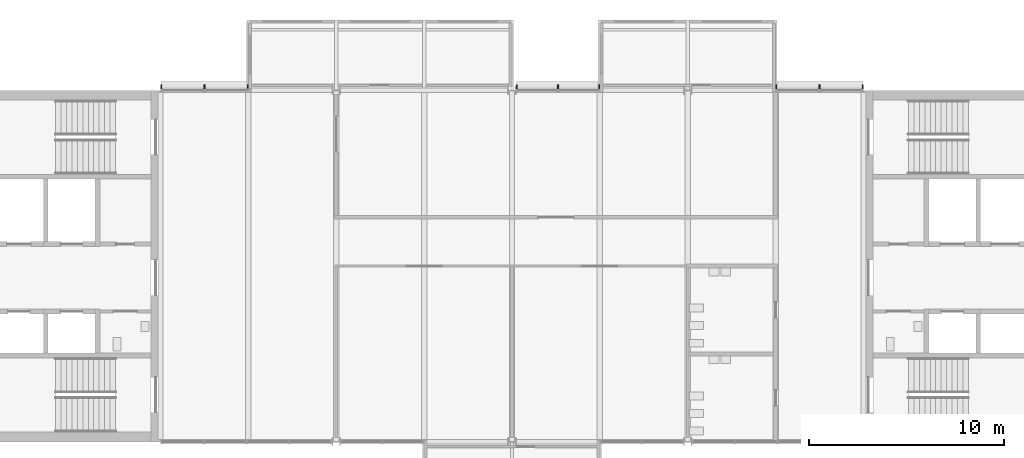
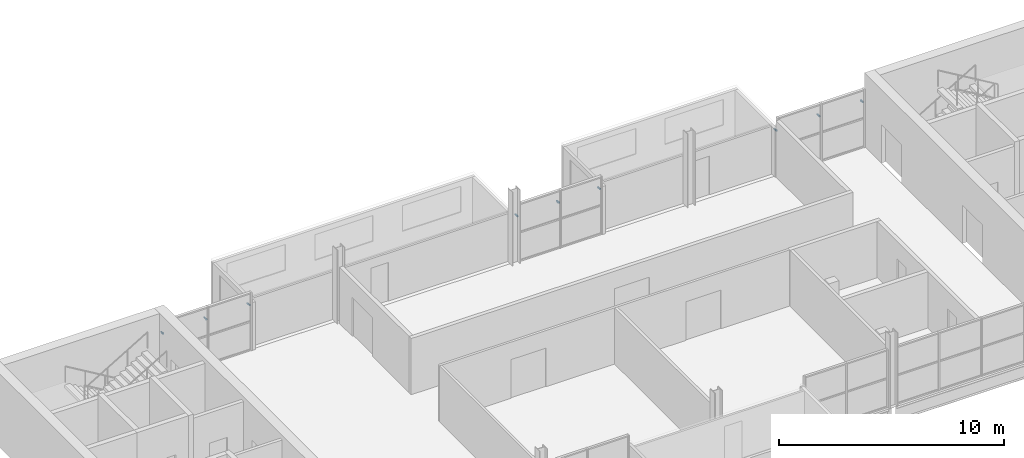
# One storey, part 8 of 10: 9 discrete accessories.
"""IFC4 building model written with IfcOpenShell, lengths in metres."""

from ifc_helpers import new_model, si_unit, direction, frame, origin, origin_2d, place, context, subcontext, project, spatial, rectangle, extrude, material, type_object, element, save


model = new_model("IFC4")

# Units and contexts
model_context = context("Model", 3, precision=1e-05, world=origin(), true_north=direction((0.0, 1.0)))
body_context = subcontext(model_context, "Body", "Model", "MODEL_VIEW")
ifc_project = project(units=[si_unit("LENGTHUNIT", "METRE"), si_unit("AREAUNIT", "SQUARE_METRE"), si_unit("VOLUMEUNIT", "CUBIC_METRE"), si_unit("PLANEANGLEUNIT", "RADIAN"), si_unit("MASSUNIT", "GRAM", prefix="KILO")], contexts=[model_context])

# Site, building, storey
site_placement = place(None, origin())
site = spatial("IfcSite", under=ifc_project, at=site_placement, CompositionType="ELEMENT")
building_placement = place(site_placement, origin())
building = spatial("IfcBuilding", under=site, at=building_placement, Name="Corbel Yard City Hall", CompositionType="ELEMENT")
storey_placement = place(building_placement, frame((0.0, 0.0, 43.199951171875)))
storey = spatial("IfcBuildingStorey", under=building, at=storey_placement, Name="L10", CompositionType="ELEMENT", Elevation=43.199951171875)

# Discrete accessories
ifc_material = material(Name="Steel Grade 300 (300 MPa yield)", Category="steel")
discrete_accessory_type = type_object("IfcDiscreteAccessoryType", Name="BK1", PredefinedType="BRACKET", material=ifc_material)
for number, where, z_axis, x_axis, name in (
    (1, (9.032470703125, 117.18994140625, 2.33251953125), (0.0, 0.0, 1.0), (1.0, 0.0, 0.0), "Louvre bracket"),
    (2, (11.25, 117.18994140625, 2.33251953125), (0.0, 0.0, 1.0), (1.0, 0.0, 0.0), "Louvre bracket"),
    (3, (13.467529296875, 117.18994140625, 2.33251953125), (0.0, 0.0, 1.0), (1.0, 0.0, 0.0), "Louvre bracket"),
    (4, (27.239501953125, 117.18994140625, 2.33251953125), (0.0, 0.0, 1.0), (1.0, 0.0, 0.0), "Louvre bracket"),
    (5, (29.353515625, 117.18994140625, 2.33251953125), (0.0, 0.0, 1.0), (1.0, 0.0, 0.0), "Louvre bracket"),
    (6, (31.467529296875, 117.18994140625, 2.33251953125), (0.0, 0.0, 1.0), (1.0, 0.0, 0.0), "Louvre bracket"),
    (7, (40.532470703125, 117.18994140625, 2.33251953125), (0.0, 0.0, 1.0), (1.0, 0.0, 0.0), "Louvre bracket"),
    (8, (42.75, 117.18994140625, 2.33251953125), (0.0, 0.0, 1.0), (1.0, 0.0, 0.0), "Louvre bracket"),
    (9, (44.967529296875, 117.18994140625, 2.33251953125), (0.0, 0.0, 1.0), (1.0, 0.0, 0.0), "Louvre bracket"),
):
    element("IfcDiscreteAccessory", number, at=place(storey_placement, frame(where, z_axis=z_axis, x_axis=x_axis)), inside=storey, type_object=discrete_accessory_type, Name=name, PredefinedType="BRACKET", context=body_context, shape_type="SweptSolid", body=[
        extrude(rectangle(XDim=0.06005859375, YDim=0.199951171875, at=origin_2d()), origin(), (0.0, 0.0, 1.0), 0.06005859375),
    ])

save(model, "model.ifc")
